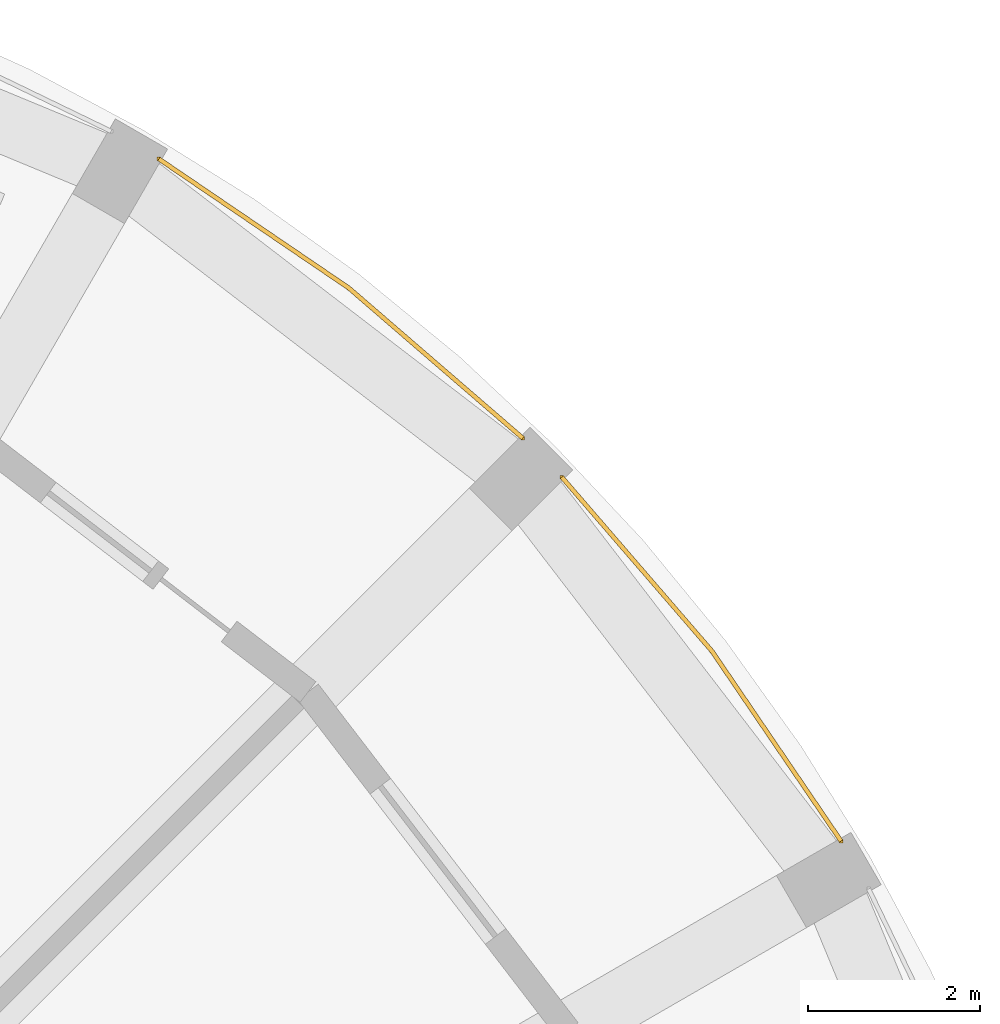
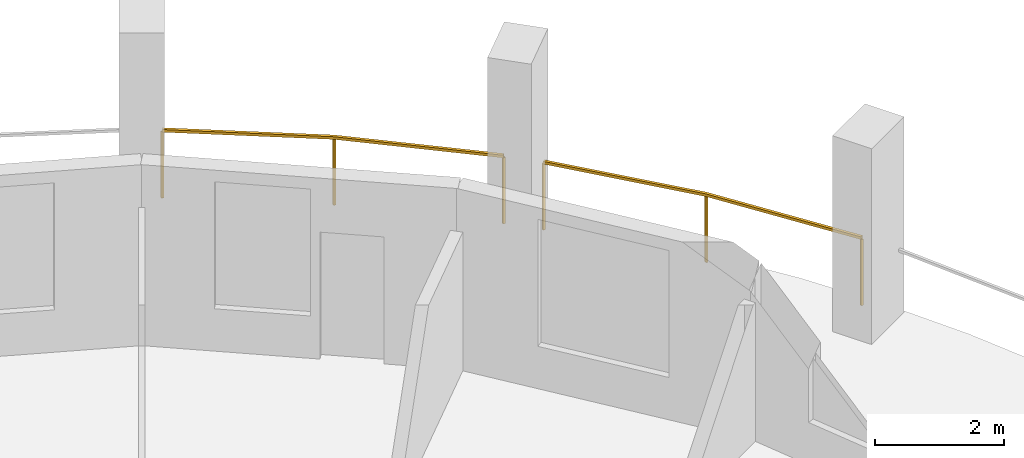
# One storey, part 9 of 9: 2 railings.
"""IFC4 building model written with IfcOpenShell, lengths in metres."""

from ifc_helpers import new_model, si_unit, direction, frame, origin, origin_2d, place, context, subcontext, project, spatial, rectangle, extrude, material, type_object, element, save


model = new_model("IFC4")

# Units and contexts
model_context = context("Model", 3, precision=1e-05, world=origin(), true_north=direction((0.0, 1.0)))
body_context = subcontext(model_context, "Body", "Model", "MODEL_VIEW")
ifc_project = project(units=[si_unit("LENGTHUNIT", "METRE"), si_unit("AREAUNIT", "SQUARE_METRE"), si_unit("VOLUMEUNIT", "CUBIC_METRE"), si_unit("PLANEANGLEUNIT", "RADIAN"), si_unit("MASSUNIT", "GRAM", prefix="KILO")], contexts=[model_context])

# Site, building, storey
site_placement = place(None, origin())
site = spatial("IfcSite", under=ifc_project, at=site_placement, CompositionType="ELEMENT")
building_placement = place(site_placement, origin())
building = spatial("IfcBuilding", under=site, at=building_placement, Name="Torre Triforio", CompositionType="ELEMENT")
storey_placement = place(building_placement, frame((0.0, 0.0, 172.699951171875)))
storey = spatial("IfcBuildingStorey", under=building, at=storey_placement, Name="L39", CompositionType="ELEMENT", Elevation=172.699951171875)

# Railings
ifc_material = material(Name="Stainless steel AISI 316", Category="steel")
railing_type = type_object("IfcRailingType", Name="Loggia guard 1300", PredefinedType="GUARDRAIL", material=ifc_material)
railing_1_placement = place(storey_placement, frame((19.628662109375, 11.7021484375, 0.0)))
element("IfcRailing", 1, at=railing_1_placement, inside=storey, type_object=railing_type, Name="Loggia guard L39 bay 03", PredefinedType="GUARDRAIL", context=body_context, shape_type="SweptSolid", body=[
    extrude(rectangle(XDim=0.050048828125, YDim=0.050048828125, at=origin_2d()), frame((0.0, 0.0, 1.27490234375), z_axis=(-0.562064856935, 0.827093160774, 0.0), x_axis=(-0.827093160774, -0.562064856935, 0.0)), (0.0, 0.0, 1.0), 2.669677734375),
    extrude(rectangle(XDim=0.050048828125, YDim=0.050048828125, at=origin_2d()), frame((-1.50048828125, 2.2080078125, 1.27490234375), z_axis=(-0.653400799038, 0.757012150376, 0.0), x_axis=(-0.757012150376, -0.653400799038, 0.0)), (0.0, 0.0, 1.0), 2.669677734375),
    extrude(rectangle(XDim=0.0400390625, YDim=0.0400390625, at=origin_2d()), origin(), (0.0, 0.0, 1.0), 1.25),
    extrude(rectangle(XDim=0.0400390625, YDim=0.0400390625, at=origin_2d()), frame((-1.50048828125, 2.2080078125, 0.0)), (0.0, 0.0, 1.0), 1.25),
    extrude(rectangle(XDim=0.0400390625, YDim=0.0400390625, at=origin_2d()), frame((-3.244873046875, 4.22900390625, 0.0)), (0.0, 0.0, 1.0), 1.25),
])
railing_2_placement = place(storey_placement, frame((15.93115234375, 16.3837890625, 0.0)))
element("IfcRailing", 2, at=railing_2_placement, inside=storey, type_object=railing_type, Name="Loggia guard L39 bay 04", PredefinedType="GUARDRAIL", context=body_context, shape_type="SweptSolid", body=[
    extrude(rectangle(XDim=0.050048828125, YDim=0.050048828125, at=origin_2d()), frame((0.0, 0.0, 1.27490234375), z_axis=(-0.757012150376, 0.653400799038, 0.0), x_axis=(-0.653400799038, -0.757012150376, 0.0)), (0.0, 0.0, 1.0), 2.669677734375),
    extrude(rectangle(XDim=0.050048828125, YDim=0.050048828125, at=origin_2d()), frame((-2.02099609375, 1.744384765625, 1.27490234375), z_axis=(-0.827093160774, 0.562064856935, 0.0), x_axis=(-0.562064856935, -0.827093160774, 0.0)), (0.0, 0.0, 1.0), 2.669677734375),
    extrude(rectangle(XDim=0.0400390625, YDim=0.0400390625, at=origin_2d()), origin(), (0.0, 0.0, 1.0), 1.25),
    extrude(rectangle(XDim=0.0400390625, YDim=0.0400390625, at=origin_2d()), frame((-2.02099609375, 1.744384765625, 0.0)), (0.0, 0.0, 1.0), 1.25),
    extrude(rectangle(XDim=0.0400390625, YDim=0.0400390625, at=origin_2d()), frame((-4.22900390625, 3.244873046875, 0.0)), (0.0, 0.0, 1.0), 1.25),
])

save(model, "model.ifc")
